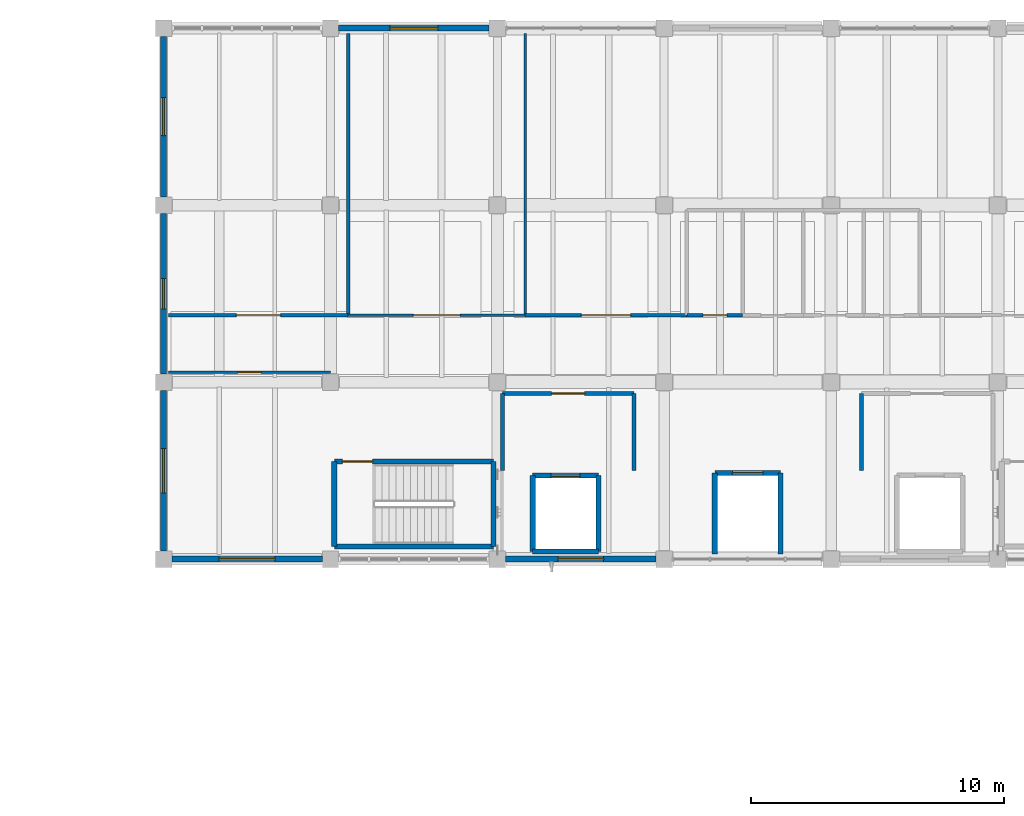
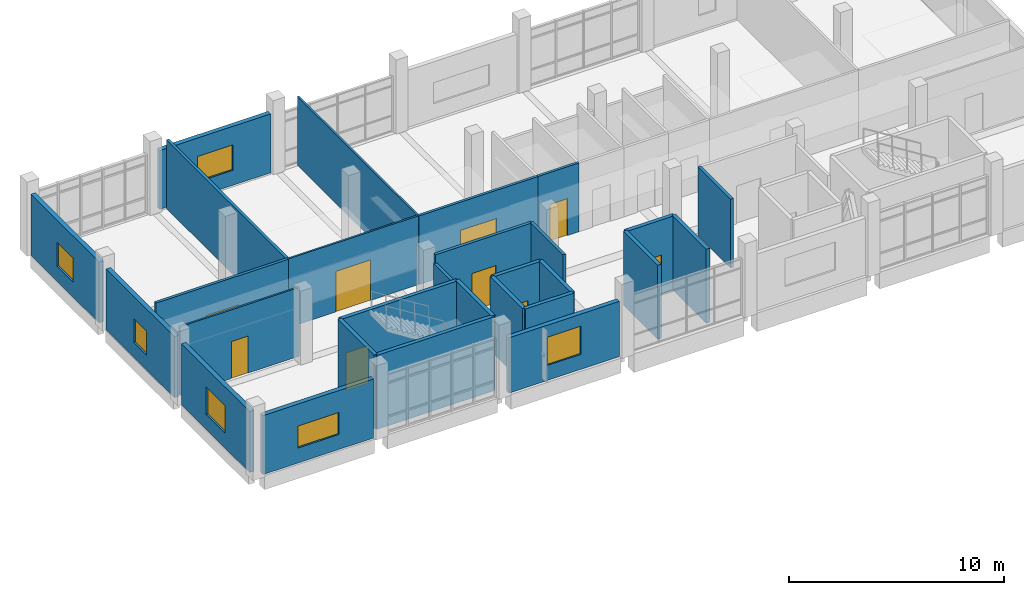
# One storey, part 11 of 16: 28 walls, 9 doors, 6 windows, 15 openings.
"""IFC4 building model written with IfcOpenShell, lengths in metres."""

from ifc_helpers import new_model, si_unit, direction, frame, frame_2d, origin, place, context, subcontext, project, spatial, rectangle, extrude, material, layer, layer_set, type_object, element, fill, save


model = new_model("IFC4")

# Units and contexts
model_context = context("Model", 3, precision=1e-05, world=origin(), true_north=direction((0.0, 1.0)))
body_context = subcontext(model_context, "Body", "Model", "MODEL_VIEW")
ifc_project = project(units=[si_unit("LENGTHUNIT", "METRE"), si_unit("AREAUNIT", "SQUARE_METRE"), si_unit("VOLUMEUNIT", "CUBIC_METRE"), si_unit("PLANEANGLEUNIT", "RADIAN"), si_unit("MASSUNIT", "GRAM", prefix="KILO")], contexts=[model_context])

# Site, building, storey
site_placement = place(None, origin())
site = spatial("IfcSite", under=ifc_project, at=site_placement, CompositionType="ELEMENT")
building_placement = place(site_placement, origin())
building = spatial("IfcBuilding", under=site, at=building_placement, Name="Ciguamira Faculty of Natural Sciences", CompositionType="ELEMENT")
storey_placement = place(building_placement, frame((0.0, 0.0, 25.199951171875)))
storey = spatial("IfcBuildingStorey", under=building, at=storey_placement, Name="L06", CompositionType="ELEMENT", Elevation=25.199951171875)

# Wall, opening, window
ifc_material_1 = material(Name="Precast concrete C40/50", Category="concrete")
ifc_layer_1 = layer(ifc_material_1, 0.239990234375, Name="Precast concrete C40/50")
ifc_layer_set_1 = layer_set([ifc_layer_1], Name="Precast concrete C40/50")
wall_type_1 = type_object("IfcWallType", Name="ExtWall_EW-02_240", PredefinedType="SOLIDWALL", material=ifc_layer_set_1)
wall_1_placement = place(storey_placement, frame((64.22509765625, 94.0, 0.0), z_axis=(0.0, 0.0, 1.0), x_axis=(1.0, 0.0, 0.0)))
wall_1 = element("IfcWall", 1, at=wall_1_placement, inside=storey, type_object=wall_type_1, Name="L06 exterior wall 0348", PredefinedType="SOLIDWALL", context=body_context, shape_type="SweptSolid", body=[
    extrude(rectangle(XDim=5.949951171875, YDim=0.239990234375, at=frame_2d((2.97509765625, 0.0))), origin(), (0.0, 0.0, 1.0), 3.344970703125),
])
opening_1_placement = place(wall_1_placement, frame((1.875, 0.0, 0.85009765625)))
opening_1 = element("IfcOpeningElement", 2, at=opening_1_placement, cuts=wall_1, Name="Opening WT-18", PredefinedType="OPENING", context=body_context, shape_type="SweptSolid", body=[
    extrude(rectangle(XDim=2.199951171875, YDim=1.25, at=frame_2d((1.10009765625, 0.625))), frame((0.0, 0.1298828125, 0.0), z_axis=(0.0, -1.0, 0.0), x_axis=(1.0, 0.0, 0.0)), (0.0, 0.0, 1.0), 0.260009765625),
])
ifc_material_2 = material(Name="Hurricane laminated solar glass", Category="glass")
window_type_1 = type_object("IfcWindowType", Name="Window_WT-18_2200x1250", PartitioningType="DOUBLE_PANEL_VERTICAL", PredefinedType="WINDOW", material=ifc_material_2)
window_1_placement = place(opening_1_placement, origin())
window_1 = element("IfcWindow", 3, at=window_1_placement, inside=storey, type_object=window_type_1, Name="L06 facade window 0237", OverallHeight=1.25, OverallWidth=2.199951171875, PartitioningType="SINGLE_PANEL", PredefinedType="WINDOW", context=body_context, shape_type="SweptSolid", body=[
    extrude(rectangle(XDim=2.199951171875, YDim=1.25, at=frame_2d((1.10009765625, 0.625))), frame((0.0, 0.030029296875, 0.0), z_axis=(0.0, -1.0, 0.0), x_axis=(1.0, 0.0, 0.0)), (0.0, 0.0, 1.0), 0.06005859375),
])
fill(opening_1, window_1)

wall_2_placement = place(storey_placement, frame((77.425048828125, 94.0, 0.0), z_axis=(0.0, 0.0, 1.0), x_axis=(1.0, 0.0, 0.0)))
wall_2 = element("IfcWall", 4, at=wall_2_placement, inside=storey, type_object=wall_type_1, Name="L06 exterior wall 0349", PredefinedType="SOLIDWALL", context=body_context, shape_type="SweptSolid", body=[
    extrude(rectangle(XDim=5.949951171875, YDim=0.239990234375, at=frame_2d((2.97509765625, 0.0))), origin(), (0.0, 0.0, 1.0), 3.135009765625),
])
opening_2_placement = place(wall_2_placement, frame((2.074951171875, 0.0, 0.85009765625)))
opening_2 = element("IfcOpeningElement", 5, at=opening_2_placement, cuts=wall_2, Name="Opening WT-21", PredefinedType="OPENING", context=body_context, shape_type="SweptSolid", body=[
    extrude(rectangle(XDim=1.800048828125, YDim=1.60009765625, at=frame_2d((0.89990234375, 0.800048828125))), frame((0.0, 0.1298828125, 0.0), z_axis=(0.0, -1.0, 0.0), x_axis=(1.0, 0.0, 0.0)), (0.0, 0.0, 1.0), 0.260009765625),
])
window_type_2 = type_object("IfcWindowType", Name="Window_WT-21_1800x1600", PartitioningType="DOUBLE_PANEL_VERTICAL", PredefinedType="WINDOW", material=ifc_material_2)
window_2_placement = place(opening_2_placement, origin())
window_2 = element("IfcWindow", 6, at=window_2_placement, inside=storey, type_object=window_type_2, Name="L06 facade window 0238", OverallHeight=1.60009765625, OverallWidth=1.800048828125, PartitioningType="SINGLE_PANEL", PredefinedType="WINDOW", context=body_context, shape_type="SweptSolid", body=[
    extrude(rectangle(XDim=1.800048828125, YDim=1.60009765625, at=frame_2d((0.89990234375, 0.800048828125))), frame((0.0, 0.030029296875, 0.0), z_axis=(0.0, -1.0, 0.0), x_axis=(1.0, 0.0, 0.0)), (0.0, 0.0, 1.0), 0.06005859375),
])
fill(opening_2, window_2)

wall_3_placement = place(storey_placement, frame((70.824951171875, 115.0, 0.0), z_axis=(0.0, 0.0, 1.0), x_axis=(1.0, 0.0, 0.0)))
wall_3 = element("IfcWall", 7, at=wall_3_placement, inside=storey, type_object=wall_type_1, Name="L06 exterior wall 0352", PredefinedType="SOLIDWALL", context=body_context, shape_type="SweptSolid", body=[
    extrude(rectangle(XDim=5.949951171875, YDim=0.239990234375, at=frame_2d((2.97509765625, 0.0))), origin(), (0.0, 0.0, 1.0), 3.344970703125),
])
opening_3_placement = place(wall_3_placement, frame((2.02490234375, 0.0, 0.85009765625)))
opening_3 = element("IfcOpeningElement", 8, at=opening_3_placement, cuts=wall_3, Name="Opening WT-30", PredefinedType="OPENING", context=body_context, shape_type="SweptSolid", body=[
    extrude(rectangle(XDim=1.89990234375, YDim=1.449951171875, at=frame_2d((0.949951171875, 0.72509765625))), frame((0.0, 0.1298828125, 0.0), z_axis=(0.0, -1.0, 0.0), x_axis=(1.0, 0.0, 0.0)), (0.0, 0.0, 1.0), 0.260009765625),
])
window_type_3 = type_object("IfcWindowType", Name="Window_WT-30_1900x1450", PartitioningType="DOUBLE_PANEL_VERTICAL", PredefinedType="WINDOW", material=ifc_material_2)
window_3_placement = place(opening_3_placement, origin())
window_3 = element("IfcWindow", 9, at=window_3_placement, inside=storey, type_object=window_type_3, Name="L06 facade window 0241", OverallHeight=1.449951171875, OverallWidth=1.89990234375, PartitioningType="SINGLE_PANEL", PredefinedType="WINDOW", context=body_context, shape_type="SweptSolid", body=[
    extrude(rectangle(XDim=1.89990234375, YDim=1.449951171875, at=frame_2d((0.949951171875, 0.72509765625))), frame((0.0, 0.030029296875, 0.0), z_axis=(0.0, -1.0, 0.0), x_axis=(1.0, 0.0, 0.0)), (0.0, 0.0, 1.0), 0.06005859375),
])
fill(opening_3, window_3)

wall_4_placement = place(storey_placement, frame((63.89990234375, 94.324951171875, 0.0), z_axis=(0.0, 0.0, 1.0), x_axis=(0.0, 1.0, 0.0)))
wall_4 = element("IfcWall", 10, at=wall_4_placement, inside=storey, type_object=wall_type_1, Name="L06 exterior wall 0355", PredefinedType="SOLIDWALL", context=body_context, shape_type="SweptSolid", body=[
    extrude(rectangle(XDim=6.35009765625, YDim=0.239990234375, at=frame_2d((3.175048828125, 0.0))), origin(), (0.0, 0.0, 1.0), 3.465087890625),
])
opening_4_placement = place(wall_4_placement, frame((2.300048828125, 0.0, 0.85009765625)))
opening_4 = element("IfcOpeningElement", 11, at=opening_4_placement, cuts=wall_4, Name="Opening WT-39", PredefinedType="OPENING", context=body_context, shape_type="SweptSolid", body=[
    extrude(rectangle(XDim=1.75, YDim=1.550048828125, at=frame_2d((0.875, 0.77490234375))), frame((0.0, 0.1298828125, 0.0), z_axis=(0.0, -1.0, 0.0), x_axis=(1.0, 0.0, 0.0)), (0.0, 0.0, 1.0), 0.260009765625),
])
window_type_4 = type_object("IfcWindowType", Name="Window_WT-39_1750x1550", PartitioningType="DOUBLE_PANEL_VERTICAL", PredefinedType="WINDOW", material=ifc_material_2)
window_4_placement = place(opening_4_placement, origin())
window_4 = element("IfcWindow", 12, at=window_4_placement, inside=storey, type_object=window_type_4, Name="L06 facade window 0244", OverallHeight=1.550048828125, OverallWidth=1.75, PartitioningType="SINGLE_PANEL", PredefinedType="WINDOW", context=body_context, shape_type="SweptSolid", body=[
    extrude(rectangle(XDim=1.75, YDim=1.550048828125, at=frame_2d((0.875, 0.77490234375))), frame((0.0, 0.030029296875, 0.0), z_axis=(0.0, -1.0, 0.0), x_axis=(1.0, 0.0, 0.0)), (0.0, 0.0, 1.0), 0.06005859375),
])
fill(opening_4, window_4)

wall_5_placement = place(storey_placement, frame((63.89990234375, 101.324951171875, 0.0), z_axis=(0.0, 0.0, 1.0), x_axis=(0.0, 1.0, 0.0)))
wall_5 = element("IfcWall", 13, at=wall_5_placement, inside=storey, type_object=wall_type_1, Name="L06 exterior wall 0356", PredefinedType="SOLIDWALL", context=body_context, shape_type="SweptSolid", body=[
    extrude(rectangle(XDim=6.35009765625, YDim=0.239990234375, at=frame_2d((3.175048828125, 0.0))), origin(), (0.0, 0.0, 1.0), 3.465087890625),
])
opening_5_placement = place(wall_5_placement, frame((2.574951171875, 0.0, 0.85009765625)))
opening_5 = element("IfcOpeningElement", 14, at=opening_5_placement, cuts=wall_5, Name="Opening WT-01", PredefinedType="OPENING", context=body_context, shape_type="SweptSolid", body=[
    extrude(rectangle(XDim=1.199951171875, YDim=1.35009765625, at=frame_2d((0.60009765625, 0.675048828125))), frame((0.0, 0.1298828125, 0.0), z_axis=(0.0, -1.0, 0.0), x_axis=(1.0, 0.0, 0.0)), (0.0, 0.0, 1.0), 0.260009765625),
])
window_type_5 = type_object("IfcWindowType", Name="Window_WT-01_1200x1350", PartitioningType="DOUBLE_PANEL_VERTICAL", PredefinedType="WINDOW", material=ifc_material_2)
window_5_placement = place(opening_5_placement, origin())
window_5 = element("IfcWindow", 15, at=window_5_placement, inside=storey, type_object=window_type_5, Name="L06 facade window 0245", OverallHeight=1.35009765625, OverallWidth=1.199951171875, PartitioningType="SINGLE_PANEL", PredefinedType="WINDOW", context=body_context, shape_type="SweptSolid", body=[
    extrude(rectangle(XDim=1.199951171875, YDim=1.35009765625, at=frame_2d((0.60009765625, 0.675048828125))), frame((0.0, 0.030029296875, 0.0), z_axis=(0.0, -1.0, 0.0), x_axis=(1.0, 0.0, 0.0)), (0.0, 0.0, 1.0), 0.06005859375),
])
fill(opening_5, window_5)

wall_6_placement = place(storey_placement, frame((63.89990234375, 108.324951171875, 0.0), z_axis=(0.0, 0.0, 1.0), x_axis=(0.0, 1.0, 0.0)))
wall_6 = element("IfcWall", 16, at=wall_6_placement, inside=storey, type_object=wall_type_1, Name="L06 exterior wall 0357", PredefinedType="SOLIDWALL", context=body_context, shape_type="SweptSolid", body=[
    extrude(rectangle(XDim=6.35009765625, YDim=0.239990234375, at=frame_2d((3.175048828125, 0.0))), origin(), (0.0, 0.0, 1.0), 3.465087890625),
])
opening_6_placement = place(wall_6_placement, frame((2.425048828125, 0.0, 0.85009765625)))
opening_6 = element("IfcOpeningElement", 17, at=opening_6_placement, cuts=wall_6, Name="Opening WT-03", PredefinedType="OPENING", context=body_context, shape_type="SweptSolid", body=[
    extrude(rectangle(XDim=1.5, YDim=1.35009765625, at=frame_2d((0.75, 0.675048828125))), frame((0.0, 0.1298828125, 0.0), z_axis=(0.0, -1.0, 0.0), x_axis=(1.0, 0.0, 0.0)), (0.0, 0.0, 1.0), 0.260009765625),
])
window_type_6 = type_object("IfcWindowType", Name="Window_WT-03_1500x1350", PartitioningType="DOUBLE_PANEL_VERTICAL", PredefinedType="WINDOW", material=ifc_material_2)
window_6_placement = place(opening_6_placement, origin())
window_6 = element("IfcWindow", 18, at=window_6_placement, inside=storey, type_object=window_type_6, Name="L06 facade window 0246", OverallHeight=1.35009765625, OverallWidth=1.5, PartitioningType="SINGLE_PANEL", PredefinedType="WINDOW", context=body_context, shape_type="SweptSolid", body=[
    extrude(rectangle(XDim=1.5, YDim=1.35009765625, at=frame_2d((0.75, 0.675048828125))), frame((0.0, 0.030029296875, 0.0), z_axis=(0.0, -1.0, 0.0), x_axis=(1.0, 0.0, 0.0)), (0.0, 0.0, 1.0), 0.06005859375),
])
fill(opening_6, window_6)

# Wall
ifc_material_3 = material(Name="Concrete C40/50", Category="concrete")
ifc_layer_2 = layer(ifc_material_3, 0.199951171875, Name="Concrete C40/50")
ifc_layer_set_2 = layer_set([ifc_layer_2], Name="Concrete C40/50")
wall_type_2 = type_object("IfcWallType", Name="IntWall_CW-S20_200", PredefinedType="SHEAR", material=ifc_layer_set_2)
wall_7_placement = place(storey_placement, frame((70.64990234375, 94.5, 0.0), z_axis=(0.0, 0.0, 1.0), x_axis=(1.0, 0.0, 0.0)))
element("IfcWall", 19, at=wall_7_placement, inside=storey, type_object=wall_type_2, Name="L06 ST-T1 core shear wall south", PredefinedType="SHEAR", context=body_context, shape_type="SweptSolid", body=[
    extrude(rectangle(XDim=6.300048828125, YDim=0.199951171875, at=frame_2d((3.14990234375, 0.0))), origin(), (0.0, 0.0, 1.0), 4.199951171875),
])

# Wall, opening, door
wall_8_placement = place(storey_placement, frame((70.64990234375, 97.860107421875, 0.0), z_axis=(0.0, 0.0, 1.0), x_axis=(1.0, 0.0, 0.0)))
wall_8 = element("IfcWall", 20, at=wall_8_placement, inside=storey, type_object=wall_type_2, Name="L06 ST-T1 core shear wall north", PredefinedType="SHEAR", context=body_context, shape_type="SweptSolid", body=[
    extrude(rectangle(XDim=6.300048828125, YDim=0.199951171875, at=frame_2d((3.14990234375, 0.0))), origin(), (0.0, 0.0, 1.0), 4.199951171875),
])
opening_7_placement = place(wall_8_placement, frame((0.320068359375, 0.0, 0.0)))
opening_7 = element("IfcOpeningElement", 21, at=opening_7_placement, cuts=wall_8, Name="Opening ID-14", PredefinedType="OPENING", context=body_context, shape_type="SweptSolid", body=[
    extrude(rectangle(XDim=1.199951171875, YDim=2.14990234375, at=frame_2d((0.60009765625, 1.074951171875))), frame((0.0, 0.10986328125, 0.0), z_axis=(0.0, -1.0, 0.0), x_axis=(1.0, 0.0, 0.0)), (0.0, 0.0, 1.0), 0.219970703125),
])
ifc_material_4 = material(Name="Protected exit stair fire door")
door_type_1 = type_object("IfcDoorType", Name="IntDoor_ID-14_1200x2150", OperationType="NOTDEFINED", PredefinedType="DOOR", material=ifc_material_4)
door_1_placement = place(opening_7_placement, frame((1.199951171875, 0.0, 0.0), z_axis=(0.0, 0.0, 1.0), x_axis=(-1.0, 0.0, 0.0)))
door_1 = element("IfcDoor", 22, at=door_1_placement, inside=storey, type_object=door_type_1, Name="L06 ST-T1 exit stair fire door", OperationType="SINGLE_SWING_RIGHT", OverallHeight=2.14990234375, OverallWidth=1.199951171875, PredefinedType="DOOR", context=body_context, shape_type="SweptSolid", body=[
    extrude(rectangle(XDim=1.199951171875, YDim=2.14990234375, at=frame_2d((0.60009765625, 1.074951171875))), frame((0.0, 0.02490234375, 0.0), z_axis=(0.0, -1.0, 0.0), x_axis=(1.0, 0.0, 0.0)), (0.0, 0.0, 1.0), 0.050048828125),
])
fill(opening_7, door_1)

# Walls
for number, where, z_axis, x_axis, name in (
    (23, (70.64990234375, 94.5, 0.0), (0.0, 0.0, 1.0), (0.0, 1.0, 0.0), "L06 ST-T1 core shear wall west"),
    (24, (76.949951171875, 94.5, 0.0), (0.0, 0.0, 1.0), (0.0, 1.0, 0.0), "L06 ST-T1 core shear wall east"),
):
    element("IfcWall", number, at=place(storey_placement, frame(where, z_axis=z_axis, x_axis=x_axis)), inside=storey, type_object=wall_type_2, Name=name, PredefinedType="SHEAR", context=body_context, shape_type="SweptSolid", body=[
        extrude(rectangle(XDim=3.360107421875, YDim=0.199951171875, at=frame_2d((1.68017578125, 0.0))), origin(), (0.0, 0.0, 1.0), 4.199951171875),
    ])
wall_9_placement = place(storey_placement, frame((78.5, 94.300048828125, 0.0), z_axis=(0.0, 0.0, 1.0), x_axis=(1.0, 0.0, 0.0)))
element("IfcWall", 25, at=wall_9_placement, inside=storey, type_object=wall_type_2, Name="L06 EL-FF1 hoistway wall south", PredefinedType="SHEAR", context=body_context, shape_type="SweptSolid", body=[
    extrude(rectangle(XDim=2.60009765625, YDim=0.199951171875, at=frame_2d((1.300048828125, 0.0))), origin(), (0.0, 0.0, 1.0), 4.199951171875),
])

# Wall, opening, door
wall_10_placement = place(storey_placement, frame((78.5, 97.300048828125, 0.0), z_axis=(0.0, 0.0, 1.0), x_axis=(1.0, 0.0, 0.0)))
wall_10 = element("IfcWall", 26, at=wall_10_placement, inside=storey, type_object=wall_type_2, Name="L06 EL-FF1 hoistway wall north", PredefinedType="SHEAR", context=body_context, shape_type="SweptSolid", body=[
    extrude(rectangle(XDim=2.60009765625, YDim=0.199951171875, at=frame_2d((1.300048828125, 0.0))), origin(), (0.0, 0.0, 1.0), 4.199951171875),
])
opening_8_placement = place(wall_10_placement, frame((0.72509765625, 0.0, 0.0)))
opening_8 = element("IfcOpeningElement", 27, at=opening_8_placement, cuts=wall_10, Name="Opening LD-03", PredefinedType="OPENING", context=body_context, shape_type="SweptSolid", body=[
    extrude(rectangle(XDim=1.14990234375, YDim=2.199951171875, at=frame_2d((0.574951171875, 1.10009765625))), frame((0.0, 0.10986328125, 0.0), z_axis=(0.0, -1.0, 0.0), x_axis=(1.0, 0.0, 0.0)), (0.0, 0.0, 1.0), 0.219970703125),
])
ifc_material_5 = material(Name="Firefighting lift sliding landing door")
door_type_2 = type_object("IfcDoorType", Name="LiftLandingDoor_LD-03_1150x2200", OperationType="SLIDING_TO_LEFT", PredefinedType="DOOR", material=ifc_material_5)
door_2_placement = place(opening_8_placement, origin())
door_2 = element("IfcDoor", 28, at=door_2_placement, inside=storey, type_object=door_type_2, Name="L06 EL-FF1 elevator landing sliding door", OperationType="SLIDING_TO_LEFT", OverallHeight=2.199951171875, OverallWidth=1.14990234375, PredefinedType="DOOR", context=body_context, shape_type="SweptSolid", body=[
    extrude(rectangle(XDim=1.14990234375, YDim=2.199951171875, at=frame_2d((0.574951171875, 1.10009765625))), frame((0.0, 0.02490234375, 0.0), z_axis=(0.0, -1.0, 0.0), x_axis=(1.0, 0.0, 0.0)), (0.0, 0.0, 1.0), 0.050048828125),
])
fill(opening_8, door_2)

# Walls
for number, where, z_axis, x_axis, name in (
    (29, (78.5, 94.300048828125, 0.0), (0.0, 0.0, 1.0), (0.0, 1.0, 0.0), "L06 EL-FF1 hoistway wall west"),
    (30, (81.10009765625, 94.300048828125, 0.0), (0.0, 0.0, 1.0), (0.0, 1.0, 0.0), "L06 EL-FF1 hoistway wall east"),
):
    element("IfcWall", number, at=place(storey_placement, frame(where, z_axis=z_axis, x_axis=x_axis)), inside=storey, type_object=wall_type_2, Name=name, PredefinedType="SHEAR", context=body_context, shape_type="SweptSolid", body=[
        extrude(rectangle(XDim=3.0, YDim=0.199951171875, at=frame_2d((1.5, 0.0))), origin(), (0.0, 0.0, 1.0), 4.199951171875),
    ])

# Wall, opening, door
wall_11_placement = place(storey_placement, frame((85.699951171875, 97.39990234375, 0.0), z_axis=(0.0, 0.0, 1.0), x_axis=(1.0, 0.0, 0.0)))
wall_11 = element("IfcWall", 31, at=wall_11_placement, inside=storey, type_object=wall_type_2, Name="L06 EL-P1 hoistway wall north", PredefinedType="SHEAR", context=body_context, shape_type="SweptSolid", body=[
    extrude(rectangle(XDim=2.60009765625, YDim=0.199951171875, at=frame_2d((1.300048828125, 0.0))), origin(), (0.0, 0.0, 1.0), 4.199951171875),
])
opening_9_placement = place(wall_11_placement, frame((0.699951171875, 0.0, 0.0)))
opening_9 = element("IfcOpeningElement", 32, at=opening_9_placement, cuts=wall_11, Name="Opening LD-02", PredefinedType="OPENING", context=body_context, shape_type="SweptSolid", body=[
    extrude(rectangle(XDim=1.199951171875, YDim=2.199951171875, at=frame_2d((0.60009765625, 1.10009765625))), frame((0.0, 0.10986328125, 0.0), z_axis=(0.0, -1.0, 0.0), x_axis=(1.0, 0.0, 0.0)), (0.0, 0.0, 1.0), 0.219970703125),
])
ifc_material_6 = material(Name="Stretcher elevator sliding landing door")
door_type_3 = type_object("IfcDoorType", Name="LiftLandingDoor_LD-02_1200x2200", OperationType="SLIDING_TO_LEFT", PredefinedType="DOOR", material=ifc_material_6)
door_3_placement = place(opening_9_placement, origin())
door_3 = element("IfcDoor", 33, at=door_3_placement, inside=storey, type_object=door_type_3, Name="L06 EL-P1 elevator landing sliding door", OperationType="SLIDING_TO_LEFT", OverallHeight=2.199951171875, OverallWidth=1.199951171875, PredefinedType="DOOR", context=body_context, shape_type="SweptSolid", body=[
    extrude(rectangle(XDim=1.199951171875, YDim=2.199951171875, at=frame_2d((0.60009765625, 1.10009765625))), frame((0.0, 0.02490234375, 0.0), z_axis=(0.0, -1.0, 0.0), x_axis=(1.0, 0.0, 0.0)), (0.0, 0.0, 1.0), 0.050048828125),
])
fill(opening_9, door_3)

# Walls
for number, where, z_axis, x_axis, name in (
    (34, (85.699951171875, 94.199951171875, 0.0), (0.0, 0.0, 1.0), (0.0, 1.0, 0.0), "L06 EL-P1 hoistway wall west"),
    (35, (88.300048828125, 94.199951171875, 0.0), (0.0, 0.0, 1.0), (0.0, 1.0, 0.0), "L06 EL-P1 hoistway wall east"),
):
    element("IfcWall", number, at=place(storey_placement, frame(where, z_axis=z_axis, x_axis=x_axis)), inside=storey, type_object=wall_type_2, Name=name, PredefinedType="SHEAR", context=body_context, shape_type="SweptSolid", body=[
        extrude(rectangle(XDim=3.199951171875, YDim=0.199951171875, at=frame_2d((1.60009765625, 0.0))), origin(), (0.0, 0.0, 1.0), 4.199951171875),
    ])

# Wall, opening, door
ifc_material_7 = material(Name="Fire-rated gypsum partition")
ifc_layer_3 = layer(ifc_material_7, 0.10009765625, Name="Fire-rated gypsum partition")
ifc_layer_set_3 = layer_set([ifc_layer_3], Name="Fire-rated gypsum partition")
wall_type_3 = type_object("IfcWallType", Name="IntWall_IW-A10_100", PredefinedType="PARTITIONING", material=ifc_layer_set_3)
wall_12_placement = place(storey_placement, frame((71.199951171875, 103.64990234375, 0.0), z_axis=(0.0, 0.0, 1.0), x_axis=(1.0, 0.0, 0.0)))
wall_12 = element("IfcWall", 36, at=wall_12_placement, inside=storey, type_object=wall_type_3, Name="L06 Thermal Analysis Instrument Room partition south", PredefinedType="PARTITIONING", context=body_context, shape_type="SweptSolid", body=[
    extrude(rectangle(XDim=7.0, YDim=0.10009765625, at=frame_2d((3.5, 0.0))), origin(), (0.0, 0.0, 1.0), 3.900146484375),
])
opening_10_placement = place(wall_12_placement, frame((2.574951171875, 0.0, 0.0)))
opening_10 = element("IfcOpeningElement", 37, at=opening_10_placement, cuts=wall_12, Name="Opening ID-12", PredefinedType="OPENING", context=body_context, shape_type="SweptSolid", body=[
    extrude(rectangle(XDim=1.85009765625, YDim=2.300048828125, at=frame_2d((0.925048828125, 1.14990234375))), frame((0.0, 0.06005859375, 0.0), z_axis=(0.0, -1.0, 0.0), x_axis=(1.0, 0.0, 0.0)), (0.0, 0.0, 1.0), 0.1201171875),
])
ifc_material_8 = material(Name="Lecture auditorium acoustic double door")
door_type_4 = type_object("IfcDoorType", Name="IntDoor_ID-12_1850x2300", OperationType="NOTDEFINED", PredefinedType="DOOR", material=ifc_material_8)
door_4_placement = place(opening_10_placement, origin())
door_4 = element("IfcDoor", 38, at=door_4_placement, inside=storey, type_object=door_type_4, Name="L06 Thermal Analysis Instrument Room door", OperationType="SINGLE_SWING_RIGHT", OverallHeight=2.300048828125, OverallWidth=1.85009765625, PredefinedType="DOOR", context=body_context, shape_type="SweptSolid", body=[
    extrude(rectangle(XDim=1.85009765625, YDim=2.300048828125, at=frame_2d((0.925048828125, 1.14990234375))), frame((0.0, 0.02490234375, 0.0), z_axis=(0.0, -1.0, 0.0), x_axis=(1.0, 0.0, 0.0)), (0.0, 0.0, 1.0), 0.050048828125),
])
fill(opening_10, door_4)

# Wall
wall_13_placement = place(storey_placement, frame((78.199951171875, 103.64990234375, 0.0), z_axis=(0.0, 0.0, 1.0), x_axis=(0.0, 1.0, 0.0)))
element("IfcWall", 39, at=wall_13_placement, inside=storey, type_object=wall_type_3, Name="L06 Thermal Analysis Instrument Room partition east", PredefinedType="PARTITIONING", context=body_context, shape_type="SweptSolid", body=[
    extrude(rectangle(XDim=11.150146484375, YDim=0.10009765625, at=frame_2d((5.5751953125, 0.0))), origin(), (0.0, 0.0, 1.0), 3.900146484375),
])

# Wall, opening, door
wall_14_placement = place(storey_placement, frame((64.10009765625, 101.39990234375, 0.0), z_axis=(0.0, 0.0, 1.0), x_axis=(1.0, 0.0, 0.0)))
wall_14 = element("IfcWall", 40, at=wall_14_placement, inside=storey, type_object=wall_type_3, Name="L06 Doctoral Researchers Office West partition north", PredefinedType="PARTITIONING", context=body_context, shape_type="SweptSolid", body=[
    extrude(rectangle(XDim=6.39990234375, YDim=0.10009765625, at=frame_2d((3.199951171875, 0.0))), origin(), (0.0, 0.0, 1.0), 3.900146484375),
])
opening_11_placement = place(wall_14_placement, frame((2.75, 0.0, 0.0)))
opening_11 = element("IfcOpeningElement", 41, at=opening_11_placement, cuts=wall_14, Name="Opening ID-01", PredefinedType="OPENING", context=body_context, shape_type="SweptSolid", body=[
    extrude(rectangle(XDim=0.89990234375, YDim=2.10009765625, at=frame_2d((0.449951171875, 1.050048828125))), frame((0.0, 0.06005859375, 0.0), z_axis=(0.0, -1.0, 0.0), x_axis=(1.0, 0.0, 0.0)), (0.0, 0.0, 1.0), 0.1201171875),
])
ifc_material_9 = material(Name="Single timber office door", Category="wood")
door_type_5 = type_object("IfcDoorType", Name="IntDoor_ID-01_900x2100", OperationType="NOTDEFINED", PredefinedType="DOOR", material=ifc_material_9)
door_5_placement = place(opening_11_placement, frame((0.89990234375, 0.0, 0.0), z_axis=(0.0, 0.0, 1.0), x_axis=(-1.0, 0.0, 0.0)))
door_5 = element("IfcDoor", 42, at=door_5_placement, inside=storey, type_object=door_type_5, Name="L06 Doctoral Researchers Office West door", OperationType="SINGLE_SWING_RIGHT", OverallHeight=2.10009765625, OverallWidth=0.89990234375, PredefinedType="DOOR", context=body_context, shape_type="SweptSolid", body=[
    extrude(rectangle(XDim=0.89990234375, YDim=2.10009765625, at=frame_2d((0.449951171875, 1.050048828125))), frame((0.0, 0.02490234375, 0.0), z_axis=(0.0, -1.0, 0.0), x_axis=(1.0, 0.0, 0.0)), (0.0, 0.0, 1.0), 0.050048828125),
])
fill(opening_11, door_5)

ifc_material_10 = material(Name="Fire-rated blockwork wall", Category="masonry")
ifc_layer_4 = layer(ifc_material_10, 0.159912109375, Name="Fire-rated blockwork wall")
ifc_layer_set_4 = layer_set([ifc_layer_4], Name="Fire-rated blockwork wall")
wall_type_4 = type_object("IfcWallType", Name="IntWall_IW-F16_160", PredefinedType="SOLIDWALL", material=ifc_layer_set_4)
wall_15_placement = place(storey_placement, frame((77.300048828125, 100.550048828125, 0.0), z_axis=(0.0, 0.0, 1.0), x_axis=(1.0, 0.0, 0.0)))
wall_15 = element("IfcWall", 43, at=wall_15_placement, inside=storey, type_object=wall_type_4, Name="L06 Firefighting Lift Lobby 1 partition north", PredefinedType="SOLIDWALL", context=body_context, shape_type="SweptSolid", body=[
    extrude(rectangle(XDim=5.199951171875, YDim=0.159912109375, at=frame_2d((2.60009765625, 0.0))), origin(), (0.0, 0.0, 1.0), 3.900146484375),
])
opening_12_placement = place(wall_15_placement, frame((1.949951171875, 0.0, 0.0)))
opening_12 = element("IfcOpeningElement", 44, at=opening_12_placement, cuts=wall_15, Name="Opening ID-15", PredefinedType="OPENING", context=body_context, shape_type="SweptSolid", body=[
    extrude(rectangle(XDim=1.300048828125, YDim=2.14990234375, at=frame_2d((0.64990234375, 1.074951171875))), frame((0.0, 0.08984375, 0.0), z_axis=(0.0, -1.0, 0.0), x_axis=(1.0, 0.0, 0.0)), (0.0, 0.0, 1.0), 0.179931640625),
])
ifc_material_11 = material(Name="Firefighting lift lobby fire door")
door_type_6 = type_object("IfcDoorType", Name="IntDoor_ID-15_1300x2150", OperationType="NOTDEFINED", PredefinedType="DOOR", material=ifc_material_11)
door_6_placement = place(opening_12_placement, frame((1.300048828125, 0.0, 0.0), z_axis=(0.0, 0.0, 1.0), x_axis=(-1.0, 0.0, 0.0)))
door_6 = element("IfcDoor", 45, at=door_6_placement, inside=storey, type_object=door_type_6, Name="L06 Firefighting Lift Lobby 1 door", OperationType="SINGLE_SWING_LEFT", OverallHeight=2.14990234375, OverallWidth=1.300048828125, PredefinedType="DOOR", context=body_context, shape_type="SweptSolid", body=[
    extrude(rectangle(XDim=1.300048828125, YDim=2.14990234375, at=frame_2d((0.64990234375, 1.074951171875))), frame((0.0, 0.02490234375, 0.0), z_axis=(0.0, -1.0, 0.0), x_axis=(1.0, 0.0, 0.0)), (0.0, 0.0, 1.0), 0.050048828125),
])
fill(opening_12, door_6)

# Walls
wall_16_placement = place(storey_placement, frame((77.300048828125, 97.5, 0.0), z_axis=(0.0, 0.0, 1.0), x_axis=(0.0, 1.0, 0.0)))
element("IfcWall", 46, at=wall_16_placement, inside=storey, type_object=wall_type_4, Name="L06 Firefighting Lift Lobby 1 partition west", PredefinedType="SOLIDWALL", context=body_context, shape_type="SweptSolid", body=[
    extrude(rectangle(XDim=3.050048828125, YDim=0.159912109375, at=frame_2d((1.52490234375, 0.0))), origin(), (0.0, 0.0, 1.0), 3.405029296875),
])
for number, where, z_axis, x_axis, name in (
    (47, (82.5, 97.5, 0.0), (0.0, 0.0, 1.0), (0.0, 1.0, 0.0), "L06 Firefighting Lift Lobby 1 partition east"),
    (48, (91.5, 97.5, 0.0), (0.0, 0.0, 1.0), (0.0, 1.0, 0.0), "L06 Firefighting Lift Lobby 2 partition west"),
):
    element("IfcWall", number, at=place(storey_placement, frame(where, z_axis=z_axis, x_axis=x_axis)), inside=storey, type_object=wall_type_4, Name=name, PredefinedType="SOLIDWALL", context=body_context, shape_type="SweptSolid", body=[
        extrude(rectangle(XDim=3.050048828125, YDim=0.159912109375, at=frame_2d((1.52490234375, 0.0))), origin(), (0.0, 0.0, 1.0), 3.900146484375),
    ])

# Wall, opening, door
ifc_material_12 = material(Name="Acoustic laboratory corridor partition")
ifc_layer_5 = layer(ifc_material_12, 0.14990234375, Name="Acoustic laboratory corridor partition")
ifc_layer_set_5 = layer_set([ifc_layer_5], Name="Acoustic laboratory corridor partition")
wall_type_5 = type_object("IfcWallType", Name="IntWall_IW-G15_150", PredefinedType="PARTITIONING", material=ifc_layer_set_5)
wall_17_placement = place(storey_placement, frame((64.10009765625, 103.64990234375, 0.0), z_axis=(0.0, 0.0, 1.0), x_axis=(1.0, 0.0, 0.0)))
wall_17 = element("IfcWall", 49, at=wall_17_placement, inside=storey, type_object=wall_type_5, Name="L06 Polymer Materials Research Laboratory partition south", PredefinedType="PARTITIONING", context=body_context, shape_type="SweptSolid", body=[
    extrude(rectangle(XDim=7.099853515625, YDim=0.14990234375, at=frame_2d((3.5498046875, 0.0))), origin(), (0.0, 0.0, 1.0), 3.900146484375),
])
opening_13_placement = place(wall_17_placement, frame((2.675048828125, 0.0, 0.0)))
opening_13 = element("IfcOpeningElement", 50, at=opening_13_placement, cuts=wall_17, Name="Opening ID-11", PredefinedType="OPENING", context=body_context, shape_type="SweptSolid", body=[
    extrude(rectangle(XDim=1.75, YDim=2.25, at=frame_2d((0.875, 1.125))), frame((0.0, 0.0849609375, 0.0), z_axis=(0.0, -1.0, 0.0), x_axis=(1.0, 0.0, 0.0)), (0.0, 0.0, 1.0), 0.169921875),
])
ifc_material_13 = material(Name="Exhibition gallery double door")
door_type_7 = type_object("IfcDoorType", Name="IntDoor_ID-11_1750x2250", OperationType="NOTDEFINED", PredefinedType="DOOR", material=ifc_material_13)
door_7_placement = place(opening_13_placement, origin())
door_7 = element("IfcDoor", 51, at=door_7_placement, inside=storey, type_object=door_type_7, Name="L06 Polymer Materials Research Laboratory door", OperationType="SINGLE_SWING_LEFT", OverallHeight=2.25, OverallWidth=1.75, PredefinedType="DOOR", context=body_context, shape_type="SweptSolid", body=[
    extrude(rectangle(XDim=1.75, YDim=2.25, at=frame_2d((0.875, 1.125))), frame((0.0, 0.02490234375, 0.0), z_axis=(0.0, -1.0, 0.0), x_axis=(1.0, 0.0, 0.0)), (0.0, 0.0, 1.0), 0.050048828125),
])
fill(opening_13, door_7)

# Wall
wall_18_placement = place(storey_placement, frame((71.199951171875, 103.64990234375, 0.0), z_axis=(0.0, 0.0, 1.0), x_axis=(0.0, 1.0, 0.0)))
element("IfcWall", 52, at=wall_18_placement, inside=storey, type_object=wall_type_5, Name="L06 Polymer Materials Research Laboratory partition east", PredefinedType="PARTITIONING", context=body_context, shape_type="SweptSolid", body=[
    extrude(rectangle(XDim=11.150146484375, YDim=0.14990234375, at=frame_2d((5.5751953125, 0.0))), origin(), (0.0, 0.0, 1.0), 3.900146484375),
])

# Wall, opening, door
ifc_material_14 = material(Name="Moisture-resistant service chase wall")
ifc_layer_6 = layer(ifc_material_14, 0.139892578125, Name="Moisture-resistant service chase wall")
ifc_layer_set_6 = layer_set([ifc_layer_6], Name="Moisture-resistant service chase wall")
wall_type_6 = type_object("IfcWallType", Name="IntWall_IW-P14_140", PredefinedType="PLUMBINGWALL", material=ifc_layer_set_6)
wall_19_placement = place(storey_placement, frame((84.60009765625, 103.64990234375, 0.0), z_axis=(0.0, 0.0, 1.0), x_axis=(1.0, 0.0, 0.0)))
wall_19 = element("IfcWall", 53, at=wall_19_placement, inside=storey, type_object=wall_type_6, Name="L06 Accessible WC partition south", PredefinedType="PLUMBINGWALL", context=body_context, shape_type="SweptSolid", body=[
    extrude(rectangle(XDim=2.199951171875, YDim=0.139892578125, at=frame_2d((1.10009765625, 0.0))), origin(), (0.0, 0.0, 1.0), 3.900146484375),
])
opening_14_placement = place(wall_19_placement, frame((0.625, 0.0, 0.0)))
opening_14 = element("IfcOpeningElement", 54, at=opening_14_placement, cuts=wall_19, Name="Opening ID-02", PredefinedType="OPENING", context=body_context, shape_type="SweptSolid", body=[
    extrude(rectangle(XDim=0.949951171875, YDim=2.10009765625, at=frame_2d((0.47509765625, 1.050048828125))), frame((0.0, 0.079833984375, 0.0), z_axis=(0.0, -1.0, 0.0), x_axis=(1.0, 0.0, 0.0)), (0.0, 0.0, 1.0), 0.159912109375),
])
ifc_material_15 = material(Name="Accessible WC outward-clear door")
door_type_8 = type_object("IfcDoorType", Name="IntDoor_ID-02_950x2100", OperationType="NOTDEFINED", PredefinedType="DOOR", material=ifc_material_15)
door_8_placement = place(opening_14_placement, origin())
door_8 = element("IfcDoor", 55, at=door_8_placement, inside=storey, type_object=door_type_8, Name="L06 Accessible WC door", OperationType="SINGLE_SWING_LEFT", OverallHeight=2.10009765625, OverallWidth=0.949951171875, PredefinedType="DOOR", context=body_context, shape_type="SweptSolid", body=[
    extrude(rectangle(XDim=0.949951171875, YDim=2.10009765625, at=frame_2d((0.47509765625, 1.050048828125))), frame((0.0, 0.02490234375, 0.0), z_axis=(0.0, -1.0, 0.0), x_axis=(1.0, 0.0, 0.0)), (0.0, 0.0, 1.0), 0.050048828125),
])
fill(opening_14, door_8)

wall_20_placement = place(storey_placement, frame((78.199951171875, 103.64990234375, 0.0), z_axis=(0.0, 0.0, 1.0), x_axis=(1.0, 0.0, 0.0)))
wall_20 = element("IfcWall", 56, at=wall_20_placement, inside=storey, type_object=wall_type_6, Name="L06 Electrochemistry Research Laboratory partition south", PredefinedType="PLUMBINGWALL", context=body_context, shape_type="SweptSolid", body=[
    extrude(rectangle(XDim=6.400146484375, YDim=0.139892578125, at=frame_2d((3.2001953125, 0.0))), origin(), (0.0, 0.0, 1.0), 3.900146484375),
])
opening_15_placement = place(wall_20_placement, frame((2.22509765625, 0.0, 0.0)))
opening_15 = element("IfcOpeningElement", 57, at=opening_15_placement, cuts=wall_20, Name="Opening ID-13", PredefinedType="OPENING", context=body_context, shape_type="SweptSolid", body=[
    extrude(rectangle(XDim=1.949951171875, YDim=2.300048828125, at=frame_2d((0.97509765625, 1.14990234375))), frame((0.0, 0.079833984375, 0.0), z_axis=(0.0, -1.0, 0.0), x_axis=(1.0, 0.0, 0.0)), (0.0, 0.0, 1.0), 0.159912109375),
])
ifc_material_16 = material(Name="Atrium concourse double fire door")
door_type_9 = type_object("IfcDoorType", Name="IntDoor_ID-13_1950x2300", OperationType="NOTDEFINED", PredefinedType="DOOR", material=ifc_material_16)
door_9_placement = place(opening_15_placement, origin())
door_9 = element("IfcDoor", 58, at=door_9_placement, inside=storey, type_object=door_type_9, Name="L06 Electrochemistry Research Laboratory door", OperationType="SINGLE_SWING_LEFT", OverallHeight=2.300048828125, OverallWidth=1.949951171875, PredefinedType="DOOR", context=body_context, shape_type="SweptSolid", body=[
    extrude(rectangle(XDim=1.949951171875, YDim=2.300048828125, at=frame_2d((0.97509765625, 1.14990234375))), frame((0.0, 0.02490234375, 0.0), z_axis=(0.0, -1.0, 0.0), x_axis=(1.0, 0.0, 0.0)), (0.0, 0.0, 1.0), 0.050048828125),
])
fill(opening_15, door_9)

save(model, "model.ifc")
